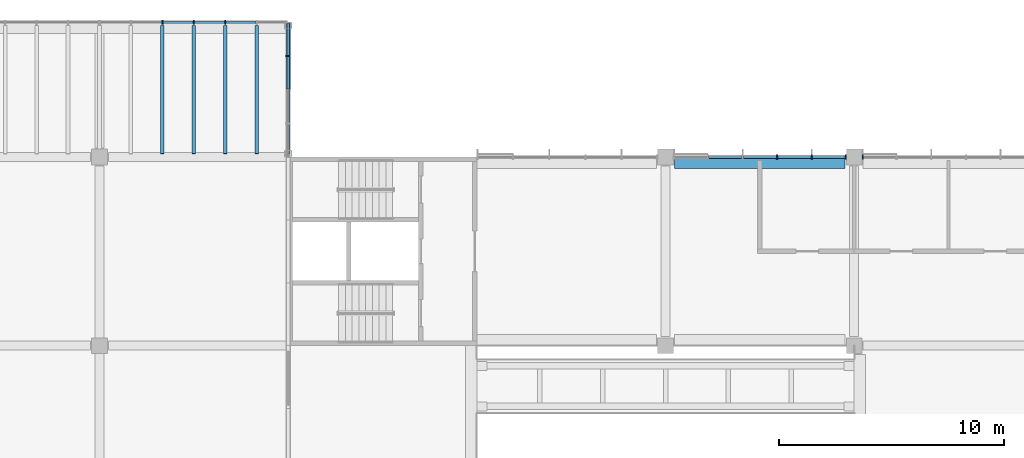
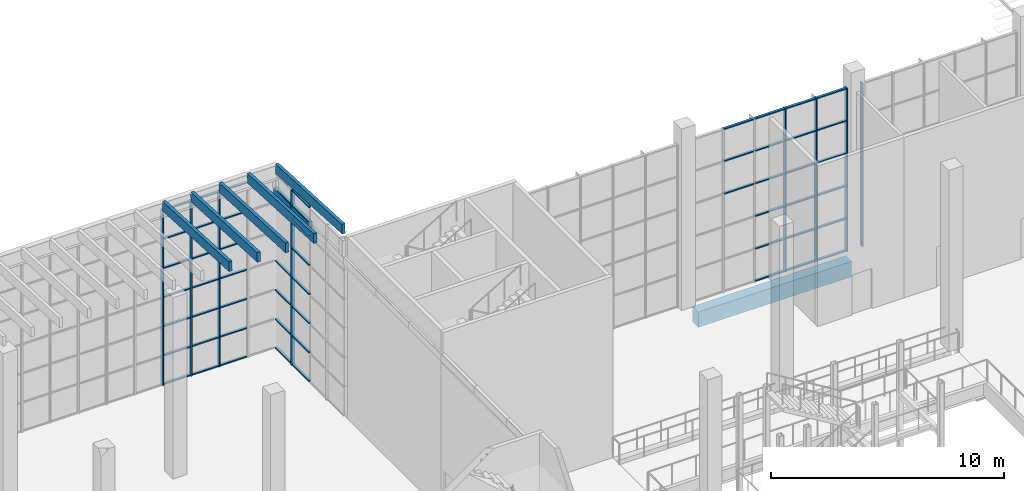
# One storey, part 24 of 114: 67 members, 1 beam, 4 elements without a shape of their own.
"""IFC4 building model written with IfcOpenShell, lengths in metres."""

from ifc_helpers import new_model, si_unit, direction, frame, origin, origin_2d, place, context, subcontext, project, spatial, rectangle, hollow_rectangle, extrude, material, material_profile, profile_set, type_object, element, aggregate, save


model = new_model("IFC4")

# Units and contexts
model_context = context("Model", 3, precision=1e-05, world=origin(), true_north=direction((0.0, 1.0)))
body_context = subcontext(model_context, "Body", "Model", "MODEL_VIEW")
ifc_project = project(units=[si_unit("LENGTHUNIT", "METRE"), si_unit("AREAUNIT", "SQUARE_METRE"), si_unit("VOLUMEUNIT", "CUBIC_METRE"), si_unit("PLANEANGLEUNIT", "RADIAN"), si_unit("MASSUNIT", "GRAM", prefix="KILO")], contexts=[model_context])

# Site, building, storey
site_placement = place(None, origin())
site = spatial("IfcSite", under=ifc_project, at=site_placement, CompositionType="ELEMENT")
building_placement = place(site_placement, origin())
building = spatial("IfcBuilding", under=site, at=building_placement, Name="Almond Square Museum", CompositionType="ELEMENT")
storey_placement = place(building_placement, frame((0.0, 0.0, 10.5)))
storey = spatial("IfcBuildingStorey", under=building, at=storey_placement, Name="L02", CompositionType="ELEMENT", Elevation=10.5)

# Curtain wall, member
ifc_material_1 = material(Name="Aluminium and laminated glass", Category="aluminium")
curtain_wall_type = type_object("IfcCurtainWallType", Name="Unitised curtain wall 1500 module", PredefinedType="NOTDEFINED", material=ifc_material_1)
curtain_wall_1_placement = place(storey_placement, origin())
curtain_wall_1 = element("IfcCurtainWall", 1, at=curtain_wall_1_placement, inside=storey, type_object=curtain_wall_type, Name="Curtain wall CW-17", PredefinedType="NOTDEFINED")
ifc_material_2 = material(Name="Anodised aluminium", Category="aluminium")
ifc_material_profile_1 = material_profile(ifc_material_2, rectangle(XDim=0.199951171875, YDim=0.06005859375, at=origin_2d()))
ifc_profile_set_1 = profile_set([ifc_material_profile_1], Name="Anodised aluminium")
member_type_1 = type_object("IfcMemberType", Name="Aluminium mullion 60 x 200", PredefinedType="MULLION", material=ifc_profile_set_1)
member_1_placement = place(storey_placement, frame((98.780029296875, 109.199951171875, 0.0), z_axis=(0.0, 0.0, 1.0), x_axis=(0.0, 1.0, 0.0)))
member_1 = element("IfcMember", 2, at=member_1_placement, type_object=member_type_1, Name="CW-17 mullion 1", PredefinedType="MULLION", context=body_context, shape_type="SweptSolid", body=[
    extrude(rectangle(XDim=0.199951171875, YDim=0.06005859375, at=origin_2d()), origin(), (0.0, 0.0, 1.0), 8.550048828125),
])
aggregate(curtain_wall_1, [member_1])

# Curtain wall, members
curtain_wall_2_placement = place(storey_placement, origin())
curtain_wall_2 = element("IfcCurtainWall", 3, at=curtain_wall_2_placement, inside=storey, type_object=curtain_wall_type, Name="Curtain wall CW-18", PredefinedType="NOTDEFINED")
member_2_placement = place(storey_placement, frame((94.969970703125, 109.199951171875, 0.0), z_axis=(0.0, 0.0, 1.0), x_axis=(0.0, 1.0, 0.0)))
member_2 = element("IfcMember", 4, at=member_2_placement, type_object=member_type_1, Name="CW-18 mullion 4", PredefinedType="MULLION", context=body_context, shape_type="SweptSolid", body=[
    extrude(rectangle(XDim=0.199951171875, YDim=0.06005859375, at=origin_2d()), origin(), (0.0, 0.0, 1.0), 8.550048828125),
])
member_3_placement = place(storey_placement, frame((96.510009765625, 109.199951171875, 0.0), z_axis=(0.0, 0.0, 1.0), x_axis=(0.0, 1.0, 0.0)))
member_3 = element("IfcMember", 5, at=member_3_placement, type_object=member_type_1, Name="CW-18 mullion 5", PredefinedType="MULLION", context=body_context, shape_type="SweptSolid", body=[
    extrude(rectangle(XDim=0.199951171875, YDim=0.06005859375, at=origin_2d()), origin(), (0.0, 0.0, 1.0), 8.550048828125),
])
member_4_placement = place(storey_placement, frame((98.02001953125, 109.199951171875, 0.0), z_axis=(0.0, 0.0, 1.0), x_axis=(0.0, 1.0, 0.0)))
member_4 = element("IfcMember", 6, at=member_4_placement, type_object=member_type_1, Name="CW-18 mullion 6", PredefinedType="MULLION", context=body_context, shape_type="SweptSolid", body=[
    extrude(rectangle(XDim=0.199951171875, YDim=0.06005859375, at=origin_2d()), origin(), (0.0, 0.0, 1.0), 8.550048828125),
])

# Curtain wall, member
curtain_wall_3_placement = place(storey_placement, origin())
curtain_wall_3 = element("IfcCurtainWall", 7, at=curtain_wall_3_placement, inside=storey, type_object=curtain_wall_type, Name="Curtain wall CW-20", PredefinedType="NOTDEFINED")
member_5_placement = place(storey_placement, frame((73.199951171875, 113.699951171875, 0.0), z_axis=(0.0, 0.0, 1.0), x_axis=(-1.0, 0.0, 0.0)))
member_5 = element("IfcMember", 8, at=member_5_placement, type_object=member_type_1, Name="CW-20 mullion 4", PredefinedType="MULLION", context=body_context, shape_type="SweptSolid", body=[
    extrude(rectangle(XDim=0.199951171875, YDim=0.06005859375, at=origin_2d()), origin(), (0.0, 0.0, 1.0), 9.166259765625),
])

# Curtain wall, members
curtain_wall_4_placement = place(storey_placement, origin())
curtain_wall_4 = element("IfcCurtainWall", 9, at=curtain_wall_4_placement, inside=storey, type_object=curtain_wall_type, Name="Curtain wall CW-21", PredefinedType="NOTDEFINED")
member_6_placement = place(storey_placement, frame((67.60009765625, 115.199951171875, 0.0), z_axis=(0.0, 0.0, 1.0), x_axis=(0.0, 1.0, 0.0)))
member_6 = element("IfcMember", 10, at=member_6_placement, type_object=member_type_1, Name="CW-21 mullion 3", PredefinedType="MULLION", context=body_context, shape_type="SweptSolid", body=[
    extrude(rectangle(XDim=0.199951171875, YDim=0.06005859375, at=origin_2d()), origin(), (0.0, 0.0, 1.0), 9.166259765625),
])
member_7_placement = place(storey_placement, frame((69.0, 115.199951171875, 0.0), z_axis=(0.0, 0.0, 1.0), x_axis=(0.0, 1.0, 0.0)))
member_7 = element("IfcMember", 11, at=member_7_placement, type_object=member_type_1, Name="CW-21 mullion 4", PredefinedType="MULLION", context=body_context, shape_type="SweptSolid", body=[
    extrude(rectangle(XDim=0.199951171875, YDim=0.06005859375, at=origin_2d()), origin(), (0.0, 0.0, 1.0), 9.166259765625),
])
member_8_placement = place(storey_placement, frame((70.39990234375, 115.199951171875, 0.0), z_axis=(0.0, 0.0, 1.0), x_axis=(0.0, 1.0, 0.0)))
member_8 = element("IfcMember", 12, at=member_8_placement, type_object=member_type_1, Name="CW-21 mullion 5", PredefinedType="MULLION", context=body_context, shape_type="SweptSolid", body=[
    extrude(rectangle(XDim=0.199951171875, YDim=0.06005859375, at=origin_2d()), origin(), (0.0, 0.0, 1.0), 9.166259765625),
])

# Member
ifc_material_3 = material(Name="Anodised aluminium", Category="aluminium")
ifc_material_profile_2 = material_profile(ifc_material_3, rectangle(XDim=0.1201171875, YDim=0.06005859375, at=origin_2d()))
ifc_profile_set_2 = profile_set([ifc_material_profile_2], Name="Anodised aluminium")
member_type_2 = type_object("IfcMemberType", Name="Aluminium transom 60 x 120", PredefinedType="USERDEFINED", material=ifc_profile_set_2)
member_9_placement = place(storey_placement, frame((91.919921875, 109.199951171875, 5.1298828125), z_axis=(1.0, 0.0, 0.0), x_axis=(0.0, 1.0, 0.0)))
member_9 = element("IfcMember", 13, at=member_9_placement, type_object=member_type_2, Name="CW-18 transom 2.4", ObjectType="TRANSOM", PredefinedType="USERDEFINED", context=body_context, shape_type="SweptSolid", body=[
    extrude(rectangle(XDim=0.1201171875, YDim=0.06005859375, at=origin_2d()), origin(), (0.0, 0.0, 1.0), 1.47998046875),
])

member_10_placement = place(storey_placement, frame((91.919921875, 109.199951171875, 6.840087890625), z_axis=(1.0, 0.0, 0.0), x_axis=(0.0, 1.0, 0.0)))
member_10 = element("IfcMember", 14, at=member_10_placement, type_object=member_type_2, Name="CW-18 transom 2.5", ObjectType="TRANSOM", PredefinedType="USERDEFINED", context=body_context, shape_type="SweptSolid", body=[
    extrude(rectangle(XDim=0.1201171875, YDim=0.06005859375, at=origin_2d()), origin(), (0.0, 0.0, 1.0), 1.47998046875),
])

member_11_placement = place(storey_placement, frame((91.919921875, 109.199951171875, 8.52001953125), z_axis=(1.0, 0.0, 0.0), x_axis=(0.0, 1.0, 0.0)))
member_11 = element("IfcMember", 15, at=member_11_placement, type_object=member_type_2, Name="CW-18 transom 2.6", ObjectType="TRANSOM", PredefinedType="USERDEFINED", context=body_context, shape_type="SweptSolid", body=[
    extrude(rectangle(XDim=0.1201171875, YDim=0.06005859375, at=origin_2d()), origin(), (0.0, 0.0, 1.0), 1.47998046875),
])

member_12_placement = place(storey_placement, frame((93.4599609375, 109.199951171875, 0.030029296875), z_axis=(1.0, 0.0, 0.0), x_axis=(0.0, 1.0, 0.0)))
member_12 = element("IfcMember", 16, at=member_12_placement, type_object=member_type_2, Name="CW-18 transom 3.1", ObjectType="TRANSOM", PredefinedType="USERDEFINED", context=body_context, shape_type="SweptSolid", body=[
    extrude(rectangle(XDim=0.1201171875, YDim=0.06005859375, at=origin_2d()), origin(), (0.0, 0.0, 1.0), 1.47998046875),
])

member_13_placement = place(storey_placement, frame((93.4599609375, 109.199951171875, 1.7099609375), z_axis=(1.0, 0.0, 0.0), x_axis=(0.0, 1.0, 0.0)))
member_13 = element("IfcMember", 17, at=member_13_placement, type_object=member_type_2, Name="CW-18 transom 3.2", ObjectType="TRANSOM", PredefinedType="USERDEFINED", context=body_context, shape_type="SweptSolid", body=[
    extrude(rectangle(XDim=0.1201171875, YDim=0.06005859375, at=origin_2d()), origin(), (0.0, 0.0, 1.0), 1.47998046875),
])

member_14_placement = place(storey_placement, frame((93.4599609375, 109.199951171875, 3.419921875), z_axis=(1.0, 0.0, 0.0), x_axis=(0.0, 1.0, 0.0)))
member_14 = element("IfcMember", 18, at=member_14_placement, type_object=member_type_2, Name="CW-18 transom 3.3", ObjectType="TRANSOM", PredefinedType="USERDEFINED", context=body_context, shape_type="SweptSolid", body=[
    extrude(rectangle(XDim=0.1201171875, YDim=0.06005859375, at=origin_2d()), origin(), (0.0, 0.0, 1.0), 1.47998046875),
])

member_15_placement = place(storey_placement, frame((93.4599609375, 109.199951171875, 5.1298828125), z_axis=(1.0, 0.0, 0.0), x_axis=(0.0, 1.0, 0.0)))
member_15 = element("IfcMember", 19, at=member_15_placement, type_object=member_type_2, Name="CW-18 transom 3.4", ObjectType="TRANSOM", PredefinedType="USERDEFINED", context=body_context, shape_type="SweptSolid", body=[
    extrude(rectangle(XDim=0.1201171875, YDim=0.06005859375, at=origin_2d()), origin(), (0.0, 0.0, 1.0), 1.47998046875),
])

member_16_placement = place(storey_placement, frame((93.4599609375, 109.199951171875, 6.840087890625), z_axis=(1.0, 0.0, 0.0), x_axis=(0.0, 1.0, 0.0)))
member_16 = element("IfcMember", 20, at=member_16_placement, type_object=member_type_2, Name="CW-18 transom 3.5", ObjectType="TRANSOM", PredefinedType="USERDEFINED", context=body_context, shape_type="SweptSolid", body=[
    extrude(rectangle(XDim=0.1201171875, YDim=0.06005859375, at=origin_2d()), origin(), (0.0, 0.0, 1.0), 1.47998046875),
])

member_17_placement = place(storey_placement, frame((93.4599609375, 109.199951171875, 8.52001953125), z_axis=(1.0, 0.0, 0.0), x_axis=(0.0, 1.0, 0.0)))
member_17 = element("IfcMember", 21, at=member_17_placement, type_object=member_type_2, Name="CW-18 transom 3.6", ObjectType="TRANSOM", PredefinedType="USERDEFINED", context=body_context, shape_type="SweptSolid", body=[
    extrude(rectangle(XDim=0.1201171875, YDim=0.06005859375, at=origin_2d()), origin(), (0.0, 0.0, 1.0), 1.47998046875),
])

member_18_placement = place(storey_placement, frame((95.0, 109.199951171875, 0.030029296875), z_axis=(1.0, 0.0, 0.0), x_axis=(0.0, 1.0, 0.0)))
member_18 = element("IfcMember", 22, at=member_18_placement, type_object=member_type_2, Name="CW-18 transom 4.1", ObjectType="TRANSOM", PredefinedType="USERDEFINED", context=body_context, shape_type="SweptSolid", body=[
    extrude(rectangle(XDim=0.1201171875, YDim=0.06005859375, at=origin_2d()), origin(), (0.0, 0.0, 1.0), 1.47998046875),
])

member_19_placement = place(storey_placement, frame((95.0, 109.199951171875, 1.7099609375), z_axis=(1.0, 0.0, 0.0), x_axis=(0.0, 1.0, 0.0)))
member_19 = element("IfcMember", 23, at=member_19_placement, type_object=member_type_2, Name="CW-18 transom 4.2", ObjectType="TRANSOM", PredefinedType="USERDEFINED", context=body_context, shape_type="SweptSolid", body=[
    extrude(rectangle(XDim=0.1201171875, YDim=0.06005859375, at=origin_2d()), origin(), (0.0, 0.0, 1.0), 1.47998046875),
])

member_20_placement = place(storey_placement, frame((95.0, 109.199951171875, 3.419921875), z_axis=(1.0, 0.0, 0.0), x_axis=(0.0, 1.0, 0.0)))
member_20 = element("IfcMember", 24, at=member_20_placement, type_object=member_type_2, Name="CW-18 transom 4.3", ObjectType="TRANSOM", PredefinedType="USERDEFINED", context=body_context, shape_type="SweptSolid", body=[
    extrude(rectangle(XDim=0.1201171875, YDim=0.06005859375, at=origin_2d()), origin(), (0.0, 0.0, 1.0), 1.47998046875),
])

member_21_placement = place(storey_placement, frame((95.0, 109.199951171875, 5.1298828125), z_axis=(1.0, 0.0, 0.0), x_axis=(0.0, 1.0, 0.0)))
member_21 = element("IfcMember", 25, at=member_21_placement, type_object=member_type_2, Name="CW-18 transom 4.4", ObjectType="TRANSOM", PredefinedType="USERDEFINED", context=body_context, shape_type="SweptSolid", body=[
    extrude(rectangle(XDim=0.1201171875, YDim=0.06005859375, at=origin_2d()), origin(), (0.0, 0.0, 1.0), 1.47998046875),
])

member_22_placement = place(storey_placement, frame((95.0, 109.199951171875, 6.840087890625), z_axis=(1.0, 0.0, 0.0), x_axis=(0.0, 1.0, 0.0)))
member_22 = element("IfcMember", 26, at=member_22_placement, type_object=member_type_2, Name="CW-18 transom 4.5", ObjectType="TRANSOM", PredefinedType="USERDEFINED", context=body_context, shape_type="SweptSolid", body=[
    extrude(rectangle(XDim=0.1201171875, YDim=0.06005859375, at=origin_2d()), origin(), (0.0, 0.0, 1.0), 1.47998046875),
])

member_23_placement = place(storey_placement, frame((95.0, 109.199951171875, 8.52001953125), z_axis=(1.0, 0.0, 0.0), x_axis=(0.0, 1.0, 0.0)))
member_23 = element("IfcMember", 27, at=member_23_placement, type_object=member_type_2, Name="CW-18 transom 4.6", ObjectType="TRANSOM", PredefinedType="USERDEFINED", context=body_context, shape_type="SweptSolid", body=[
    extrude(rectangle(XDim=0.1201171875, YDim=0.06005859375, at=origin_2d()), origin(), (0.0, 0.0, 1.0), 1.47998046875),
])

member_24_placement = place(storey_placement, frame((96.5400390625, 109.199951171875, 0.030029296875), z_axis=(1.0, 0.0, 0.0), x_axis=(0.0, 1.0, 0.0)))
member_24 = element("IfcMember", 28, at=member_24_placement, type_object=member_type_2, Name="CW-18 transom 5.1", ObjectType="TRANSOM", PredefinedType="USERDEFINED", context=body_context, shape_type="SweptSolid", body=[
    extrude(rectangle(XDim=0.1201171875, YDim=0.06005859375, at=origin_2d()), origin(), (0.0, 0.0, 1.0), 1.449951171875),
])

member_25_placement = place(storey_placement, frame((96.5400390625, 109.199951171875, 1.7099609375), z_axis=(1.0, 0.0, 0.0), x_axis=(0.0, 1.0, 0.0)))
member_25 = element("IfcMember", 29, at=member_25_placement, type_object=member_type_2, Name="CW-18 transom 5.2", ObjectType="TRANSOM", PredefinedType="USERDEFINED", context=body_context, shape_type="SweptSolid", body=[
    extrude(rectangle(XDim=0.1201171875, YDim=0.06005859375, at=origin_2d()), origin(), (0.0, 0.0, 1.0), 1.449951171875),
])

member_26_placement = place(storey_placement, frame((96.5400390625, 109.199951171875, 3.419921875), z_axis=(1.0, 0.0, 0.0), x_axis=(0.0, 1.0, 0.0)))
member_26 = element("IfcMember", 30, at=member_26_placement, type_object=member_type_2, Name="CW-18 transom 5.3", ObjectType="TRANSOM", PredefinedType="USERDEFINED", context=body_context, shape_type="SweptSolid", body=[
    extrude(rectangle(XDim=0.1201171875, YDim=0.06005859375, at=origin_2d()), origin(), (0.0, 0.0, 1.0), 1.449951171875),
])

member_27_placement = place(storey_placement, frame((96.5400390625, 109.199951171875, 5.1298828125), z_axis=(1.0, 0.0, 0.0), x_axis=(0.0, 1.0, 0.0)))
member_27 = element("IfcMember", 31, at=member_27_placement, type_object=member_type_2, Name="CW-18 transom 5.4", ObjectType="TRANSOM", PredefinedType="USERDEFINED", context=body_context, shape_type="SweptSolid", body=[
    extrude(rectangle(XDim=0.1201171875, YDim=0.06005859375, at=origin_2d()), origin(), (0.0, 0.0, 1.0), 1.449951171875),
])

member_28_placement = place(storey_placement, frame((96.5400390625, 109.199951171875, 6.840087890625), z_axis=(1.0, 0.0, 0.0), x_axis=(0.0, 1.0, 0.0)))
member_28 = element("IfcMember", 32, at=member_28_placement, type_object=member_type_2, Name="CW-18 transom 5.5", ObjectType="TRANSOM", PredefinedType="USERDEFINED", context=body_context, shape_type="SweptSolid", body=[
    extrude(rectangle(XDim=0.1201171875, YDim=0.06005859375, at=origin_2d()), origin(), (0.0, 0.0, 1.0), 1.449951171875),
])

member_29_placement = place(storey_placement, frame((96.5400390625, 109.199951171875, 8.52001953125), z_axis=(1.0, 0.0, 0.0), x_axis=(0.0, 1.0, 0.0)))
member_29 = element("IfcMember", 33, at=member_29_placement, type_object=member_type_2, Name="CW-18 transom 5.6", ObjectType="TRANSOM", PredefinedType="USERDEFINED", context=body_context, shape_type="SweptSolid", body=[
    extrude(rectangle(XDim=0.1201171875, YDim=0.06005859375, at=origin_2d()), origin(), (0.0, 0.0, 1.0), 1.449951171875),
])

aggregate(curtain_wall_2, [member_2, member_3, member_4, member_9, member_10, member_11, member_12, member_13, member_14, member_15, member_16, member_17, member_18, member_19, member_20, member_21, member_22, member_23, member_24, member_25, member_26, member_27, member_28, member_29])

member_30_placement = place(storey_placement, frame((73.199951171875, 112.22998046875, 0.030029296875), z_axis=(0.0, 1.0, 0.0), x_axis=(-1.0, 0.0, 0.0)))
member_30 = element("IfcMember", 34, at=member_30_placement, type_object=member_type_2, Name="CW-20 transom 3.1", ObjectType="TRANSOM", PredefinedType="USERDEFINED", context=body_context, shape_type="SweptSolid", body=[
    extrude(rectangle(XDim=0.1201171875, YDim=0.06005859375, at=origin_2d()), origin(), (0.0, 0.0, 1.0), 1.43994140625),
])

member_31_placement = place(storey_placement, frame((73.199951171875, 112.22998046875, 1.527587890625), z_axis=(0.0, 1.0, 0.0), x_axis=(-1.0, 0.0, 0.0)))
member_31 = element("IfcMember", 35, at=member_31_placement, type_object=member_type_2, Name="CW-20 transom 3.2", ObjectType="TRANSOM", PredefinedType="USERDEFINED", context=body_context, shape_type="SweptSolid", body=[
    extrude(rectangle(XDim=0.1201171875, YDim=0.06005859375, at=origin_2d()), origin(), (0.0, 0.0, 1.0), 1.43994140625),
])

member_32_placement = place(storey_placement, frame((73.199951171875, 112.22998046875, 3.055419921875), z_axis=(0.0, 1.0, 0.0), x_axis=(-1.0, 0.0, 0.0)))
member_32 = element("IfcMember", 36, at=member_32_placement, type_object=member_type_2, Name="CW-20 transom 3.3", ObjectType="TRANSOM", PredefinedType="USERDEFINED", context=body_context, shape_type="SweptSolid", body=[
    extrude(rectangle(XDim=0.1201171875, YDim=0.06005859375, at=origin_2d()), origin(), (0.0, 0.0, 1.0), 1.43994140625),
])

member_33_placement = place(storey_placement, frame((73.199951171875, 112.22998046875, 4.5830078125), z_axis=(0.0, 1.0, 0.0), x_axis=(-1.0, 0.0, 0.0)))
member_33 = element("IfcMember", 37, at=member_33_placement, type_object=member_type_2, Name="CW-20 transom 3.4", ObjectType="TRANSOM", PredefinedType="USERDEFINED", context=body_context, shape_type="SweptSolid", body=[
    extrude(rectangle(XDim=0.1201171875, YDim=0.06005859375, at=origin_2d()), origin(), (0.0, 0.0, 1.0), 1.43994140625),
])

member_34_placement = place(storey_placement, frame((73.199951171875, 112.22998046875, 6.11083984375), z_axis=(0.0, 1.0, 0.0), x_axis=(-1.0, 0.0, 0.0)))
member_34 = element("IfcMember", 38, at=member_34_placement, type_object=member_type_2, Name="CW-20 transom 3.5", ObjectType="TRANSOM", PredefinedType="USERDEFINED", context=body_context, shape_type="SweptSolid", body=[
    extrude(rectangle(XDim=0.1201171875, YDim=0.06005859375, at=origin_2d()), origin(), (0.0, 0.0, 1.0), 1.43994140625),
])

member_35_placement = place(storey_placement, frame((73.199951171875, 112.22998046875, 7.638427734375), z_axis=(0.0, 1.0, 0.0), x_axis=(-1.0, 0.0, 0.0)))
member_35 = element("IfcMember", 39, at=member_35_placement, type_object=member_type_2, Name="CW-20 transom 3.6", ObjectType="TRANSOM", PredefinedType="USERDEFINED", context=body_context, shape_type="SweptSolid", body=[
    extrude(rectangle(XDim=0.1201171875, YDim=0.06005859375, at=origin_2d()), origin(), (0.0, 0.0, 1.0), 1.43994140625),
])

member_36_placement = place(storey_placement, frame((73.199951171875, 112.22998046875, 9.13623046875), z_axis=(0.0, 1.0, 0.0), x_axis=(-1.0, 0.0, 0.0)))
member_36 = element("IfcMember", 40, at=member_36_placement, type_object=member_type_2, Name="CW-20 transom 3.7", ObjectType="TRANSOM", PredefinedType="USERDEFINED", context=body_context, shape_type="SweptSolid", body=[
    extrude(rectangle(XDim=0.1201171875, YDim=0.06005859375, at=origin_2d()), origin(), (0.0, 0.0, 1.0), 1.43994140625),
])

member_37_placement = place(storey_placement, frame((73.199951171875, 113.72998046875, 0.030029296875), z_axis=(0.0, 1.0, 0.0), x_axis=(-1.0, 0.0, 0.0)))
member_37 = element("IfcMember", 41, at=member_37_placement, type_object=member_type_2, Name="CW-20 transom 4.1", ObjectType="TRANSOM", PredefinedType="USERDEFINED", context=body_context, shape_type="SweptSolid", body=[
    extrude(rectangle(XDim=0.1201171875, YDim=0.06005859375, at=origin_2d()), origin(), (0.0, 0.0, 1.0), 1.409912109375),
])

member_38_placement = place(storey_placement, frame((73.199951171875, 113.72998046875, 1.527587890625), z_axis=(0.0, 1.0, 0.0), x_axis=(-1.0, 0.0, 0.0)))
member_38 = element("IfcMember", 42, at=member_38_placement, type_object=member_type_2, Name="CW-20 transom 4.2", ObjectType="TRANSOM", PredefinedType="USERDEFINED", context=body_context, shape_type="SweptSolid", body=[
    extrude(rectangle(XDim=0.1201171875, YDim=0.06005859375, at=origin_2d()), origin(), (0.0, 0.0, 1.0), 1.409912109375),
])

member_39_placement = place(storey_placement, frame((73.199951171875, 113.72998046875, 3.055419921875), z_axis=(0.0, 1.0, 0.0), x_axis=(-1.0, 0.0, 0.0)))
member_39 = element("IfcMember", 43, at=member_39_placement, type_object=member_type_2, Name="CW-20 transom 4.3", ObjectType="TRANSOM", PredefinedType="USERDEFINED", context=body_context, shape_type="SweptSolid", body=[
    extrude(rectangle(XDim=0.1201171875, YDim=0.06005859375, at=origin_2d()), origin(), (0.0, 0.0, 1.0), 1.409912109375),
])

member_40_placement = place(storey_placement, frame((73.199951171875, 113.72998046875, 4.5830078125), z_axis=(0.0, 1.0, 0.0), x_axis=(-1.0, 0.0, 0.0)))
member_40 = element("IfcMember", 44, at=member_40_placement, type_object=member_type_2, Name="CW-20 transom 4.4", ObjectType="TRANSOM", PredefinedType="USERDEFINED", context=body_context, shape_type="SweptSolid", body=[
    extrude(rectangle(XDim=0.1201171875, YDim=0.06005859375, at=origin_2d()), origin(), (0.0, 0.0, 1.0), 1.409912109375),
])

aggregate(curtain_wall_3, [member_5, member_30, member_31, member_32, member_33, member_34, member_35, member_36, member_37, member_38, member_39, member_40])

member_41_placement = place(storey_placement, frame((67.6298828125, 115.199951171875, 0.030029296875), z_axis=(1.0, 0.0, 0.0), x_axis=(0.0, 1.0, 0.0)))
member_41 = element("IfcMember", 45, at=member_41_placement, type_object=member_type_2, Name="CW-21 transom 3.1", ObjectType="TRANSOM", PredefinedType="USERDEFINED", context=body_context, shape_type="SweptSolid", body=[
    extrude(rectangle(XDim=0.1201171875, YDim=0.06005859375, at=origin_2d()), origin(), (0.0, 0.0, 1.0), 1.340087890625),
])

member_42_placement = place(storey_placement, frame((67.6298828125, 115.199951171875, 1.527587890625), z_axis=(1.0, 0.0, 0.0), x_axis=(0.0, 1.0, 0.0)))
member_42 = element("IfcMember", 46, at=member_42_placement, type_object=member_type_2, Name="CW-21 transom 3.2", ObjectType="TRANSOM", PredefinedType="USERDEFINED", context=body_context, shape_type="SweptSolid", body=[
    extrude(rectangle(XDim=0.1201171875, YDim=0.06005859375, at=origin_2d()), origin(), (0.0, 0.0, 1.0), 1.340087890625),
])

member_43_placement = place(storey_placement, frame((67.6298828125, 115.199951171875, 3.055419921875), z_axis=(1.0, 0.0, 0.0), x_axis=(0.0, 1.0, 0.0)))
member_43 = element("IfcMember", 47, at=member_43_placement, type_object=member_type_2, Name="CW-21 transom 3.3", ObjectType="TRANSOM", PredefinedType="USERDEFINED", context=body_context, shape_type="SweptSolid", body=[
    extrude(rectangle(XDim=0.1201171875, YDim=0.06005859375, at=origin_2d()), origin(), (0.0, 0.0, 1.0), 1.340087890625),
])

member_44_placement = place(storey_placement, frame((67.6298828125, 115.199951171875, 4.5830078125), z_axis=(1.0, 0.0, 0.0), x_axis=(0.0, 1.0, 0.0)))
member_44 = element("IfcMember", 48, at=member_44_placement, type_object=member_type_2, Name="CW-21 transom 3.4", ObjectType="TRANSOM", PredefinedType="USERDEFINED", context=body_context, shape_type="SweptSolid", body=[
    extrude(rectangle(XDim=0.1201171875, YDim=0.06005859375, at=origin_2d()), origin(), (0.0, 0.0, 1.0), 1.340087890625),
])

member_45_placement = place(storey_placement, frame((67.6298828125, 115.199951171875, 6.11083984375), z_axis=(1.0, 0.0, 0.0), x_axis=(0.0, 1.0, 0.0)))
member_45 = element("IfcMember", 49, at=member_45_placement, type_object=member_type_2, Name="CW-21 transom 3.5", ObjectType="TRANSOM", PredefinedType="USERDEFINED", context=body_context, shape_type="SweptSolid", body=[
    extrude(rectangle(XDim=0.1201171875, YDim=0.06005859375, at=origin_2d()), origin(), (0.0, 0.0, 1.0), 1.340087890625),
])

member_46_placement = place(storey_placement, frame((67.6298828125, 115.199951171875, 7.638427734375), z_axis=(1.0, 0.0, 0.0), x_axis=(0.0, 1.0, 0.0)))
member_46 = element("IfcMember", 50, at=member_46_placement, type_object=member_type_2, Name="CW-21 transom 3.6", ObjectType="TRANSOM", PredefinedType="USERDEFINED", context=body_context, shape_type="SweptSolid", body=[
    extrude(rectangle(XDim=0.1201171875, YDim=0.06005859375, at=origin_2d()), origin(), (0.0, 0.0, 1.0), 1.340087890625),
])

member_47_placement = place(storey_placement, frame((67.6298828125, 115.199951171875, 9.13623046875), z_axis=(1.0, 0.0, 0.0), x_axis=(0.0, 1.0, 0.0)))
member_47 = element("IfcMember", 51, at=member_47_placement, type_object=member_type_2, Name="CW-21 transom 3.7", ObjectType="TRANSOM", PredefinedType="USERDEFINED", context=body_context, shape_type="SweptSolid", body=[
    extrude(rectangle(XDim=0.1201171875, YDim=0.06005859375, at=origin_2d()), origin(), (0.0, 0.0, 1.0), 1.340087890625),
])

member_48_placement = place(storey_placement, frame((69.030029296875, 115.199951171875, 0.030029296875), z_axis=(1.0, 0.0, 0.0), x_axis=(0.0, 1.0, 0.0)))
member_48 = element("IfcMember", 52, at=member_48_placement, type_object=member_type_2, Name="CW-21 transom 4.1", ObjectType="TRANSOM", PredefinedType="USERDEFINED", context=body_context, shape_type="SweptSolid", body=[
    extrude(rectangle(XDim=0.1201171875, YDim=0.06005859375, at=origin_2d()), origin(), (0.0, 0.0, 1.0), 1.340087890625),
])

member_49_placement = place(storey_placement, frame((69.030029296875, 115.199951171875, 1.527587890625), z_axis=(1.0, 0.0, 0.0), x_axis=(0.0, 1.0, 0.0)))
member_49 = element("IfcMember", 53, at=member_49_placement, type_object=member_type_2, Name="CW-21 transom 4.2", ObjectType="TRANSOM", PredefinedType="USERDEFINED", context=body_context, shape_type="SweptSolid", body=[
    extrude(rectangle(XDim=0.1201171875, YDim=0.06005859375, at=origin_2d()), origin(), (0.0, 0.0, 1.0), 1.340087890625),
])

member_50_placement = place(storey_placement, frame((69.030029296875, 115.199951171875, 3.055419921875), z_axis=(1.0, 0.0, 0.0), x_axis=(0.0, 1.0, 0.0)))
member_50 = element("IfcMember", 54, at=member_50_placement, type_object=member_type_2, Name="CW-21 transom 4.3", ObjectType="TRANSOM", PredefinedType="USERDEFINED", context=body_context, shape_type="SweptSolid", body=[
    extrude(rectangle(XDim=0.1201171875, YDim=0.06005859375, at=origin_2d()), origin(), (0.0, 0.0, 1.0), 1.340087890625),
])

member_51_placement = place(storey_placement, frame((69.030029296875, 115.199951171875, 4.5830078125), z_axis=(1.0, 0.0, 0.0), x_axis=(0.0, 1.0, 0.0)))
member_51 = element("IfcMember", 55, at=member_51_placement, type_object=member_type_2, Name="CW-21 transom 4.4", ObjectType="TRANSOM", PredefinedType="USERDEFINED", context=body_context, shape_type="SweptSolid", body=[
    extrude(rectangle(XDim=0.1201171875, YDim=0.06005859375, at=origin_2d()), origin(), (0.0, 0.0, 1.0), 1.340087890625),
])

member_52_placement = place(storey_placement, frame((69.030029296875, 115.199951171875, 6.11083984375), z_axis=(1.0, 0.0, 0.0), x_axis=(0.0, 1.0, 0.0)))
member_52 = element("IfcMember", 56, at=member_52_placement, type_object=member_type_2, Name="CW-21 transom 4.5", ObjectType="TRANSOM", PredefinedType="USERDEFINED", context=body_context, shape_type="SweptSolid", body=[
    extrude(rectangle(XDim=0.1201171875, YDim=0.06005859375, at=origin_2d()), origin(), (0.0, 0.0, 1.0), 1.340087890625),
])

member_53_placement = place(storey_placement, frame((69.030029296875, 115.199951171875, 7.638427734375), z_axis=(1.0, 0.0, 0.0), x_axis=(0.0, 1.0, 0.0)))
member_53 = element("IfcMember", 57, at=member_53_placement, type_object=member_type_2, Name="CW-21 transom 4.6", ObjectType="TRANSOM", PredefinedType="USERDEFINED", context=body_context, shape_type="SweptSolid", body=[
    extrude(rectangle(XDim=0.1201171875, YDim=0.06005859375, at=origin_2d()), origin(), (0.0, 0.0, 1.0), 1.340087890625),
])

member_54_placement = place(storey_placement, frame((69.030029296875, 115.199951171875, 9.13623046875), z_axis=(1.0, 0.0, 0.0), x_axis=(0.0, 1.0, 0.0)))
member_54 = element("IfcMember", 58, at=member_54_placement, type_object=member_type_2, Name="CW-21 transom 4.7", ObjectType="TRANSOM", PredefinedType="USERDEFINED", context=body_context, shape_type="SweptSolid", body=[
    extrude(rectangle(XDim=0.1201171875, YDim=0.06005859375, at=origin_2d()), origin(), (0.0, 0.0, 1.0), 1.340087890625),
])

member_55_placement = place(storey_placement, frame((70.429931640625, 115.199951171875, 0.030029296875), z_axis=(1.0, 0.0, 0.0), x_axis=(0.0, 1.0, 0.0)))
member_55 = element("IfcMember", 59, at=member_55_placement, type_object=member_type_2, Name="CW-21 transom 5.1", ObjectType="TRANSOM", PredefinedType="USERDEFINED", context=body_context, shape_type="SweptSolid", body=[
    extrude(rectangle(XDim=0.1201171875, YDim=0.06005859375, at=origin_2d()), origin(), (0.0, 0.0, 1.0), 1.340087890625),
])

member_56_placement = place(storey_placement, frame((70.429931640625, 115.199951171875, 1.527587890625), z_axis=(1.0, 0.0, 0.0), x_axis=(0.0, 1.0, 0.0)))
member_56 = element("IfcMember", 60, at=member_56_placement, type_object=member_type_2, Name="CW-21 transom 5.2", ObjectType="TRANSOM", PredefinedType="USERDEFINED", context=body_context, shape_type="SweptSolid", body=[
    extrude(rectangle(XDim=0.1201171875, YDim=0.06005859375, at=origin_2d()), origin(), (0.0, 0.0, 1.0), 1.340087890625),
])

member_57_placement = place(storey_placement, frame((70.429931640625, 115.199951171875, 3.055419921875), z_axis=(1.0, 0.0, 0.0), x_axis=(0.0, 1.0, 0.0)))
member_57 = element("IfcMember", 61, at=member_57_placement, type_object=member_type_2, Name="CW-21 transom 5.3", ObjectType="TRANSOM", PredefinedType="USERDEFINED", context=body_context, shape_type="SweptSolid", body=[
    extrude(rectangle(XDim=0.1201171875, YDim=0.06005859375, at=origin_2d()), origin(), (0.0, 0.0, 1.0), 1.340087890625),
])

member_58_placement = place(storey_placement, frame((70.429931640625, 115.199951171875, 4.5830078125), z_axis=(1.0, 0.0, 0.0), x_axis=(0.0, 1.0, 0.0)))
member_58 = element("IfcMember", 62, at=member_58_placement, type_object=member_type_2, Name="CW-21 transom 5.4", ObjectType="TRANSOM", PredefinedType="USERDEFINED", context=body_context, shape_type="SweptSolid", body=[
    extrude(rectangle(XDim=0.1201171875, YDim=0.06005859375, at=origin_2d()), origin(), (0.0, 0.0, 1.0), 1.340087890625),
])

member_59_placement = place(storey_placement, frame((70.429931640625, 115.199951171875, 6.11083984375), z_axis=(1.0, 0.0, 0.0), x_axis=(0.0, 1.0, 0.0)))
member_59 = element("IfcMember", 63, at=member_59_placement, type_object=member_type_2, Name="CW-21 transom 5.5", ObjectType="TRANSOM", PredefinedType="USERDEFINED", context=body_context, shape_type="SweptSolid", body=[
    extrude(rectangle(XDim=0.1201171875, YDim=0.06005859375, at=origin_2d()), origin(), (0.0, 0.0, 1.0), 1.340087890625),
])

member_60_placement = place(storey_placement, frame((70.429931640625, 115.199951171875, 7.638427734375), z_axis=(1.0, 0.0, 0.0), x_axis=(0.0, 1.0, 0.0)))
member_60 = element("IfcMember", 64, at=member_60_placement, type_object=member_type_2, Name="CW-21 transom 5.6", ObjectType="TRANSOM", PredefinedType="USERDEFINED", context=body_context, shape_type="SweptSolid", body=[
    extrude(rectangle(XDim=0.1201171875, YDim=0.06005859375, at=origin_2d()), origin(), (0.0, 0.0, 1.0), 1.340087890625),
])

member_61_placement = place(storey_placement, frame((70.429931640625, 115.199951171875, 9.13623046875), z_axis=(1.0, 0.0, 0.0), x_axis=(0.0, 1.0, 0.0)))
member_61 = element("IfcMember", 65, at=member_61_placement, type_object=member_type_2, Name="CW-21 transom 5.7", ObjectType="TRANSOM", PredefinedType="USERDEFINED", context=body_context, shape_type="SweptSolid", body=[
    extrude(rectangle(XDim=0.1201171875, YDim=0.06005859375, at=origin_2d()), origin(), (0.0, 0.0, 1.0), 1.340087890625),
])

aggregate(curtain_wall_4, [member_6, member_7, member_8, member_41, member_42, member_43, member_44, member_45, member_46, member_47, member_48, member_49, member_50, member_51, member_52, member_53, member_54, member_55, member_56, member_57, member_58, member_59, member_60, member_61])

# Members
ifc_material_4 = material(Name="Glulam GL28h", Category="wood")
ifc_material_profile_3 = material_profile(ifc_material_4, rectangle(XDim=0.159912109375, YDim=0.5, at=origin_2d()))
ifc_profile_set_3 = profile_set([ifc_material_profile_3], Name="Glulam GL28h")
member_type_3 = type_object("IfcMemberType", Name="Glulam rafter GL28h 160x500", PredefinedType="RAFTER", material=ifc_profile_set_3)
for number, where, z_axis, x_axis, name in (
    (66, (67.60009765625, 109.35009765625, 9.7421875), (0.0, 0.998750951657, -0.049965353644), (-1.0, 0.0, 0.0), "Box roof rafter 21"),
    (67, (69.0, 109.35009765625, 9.7421875), (0.0, 0.998750951657, -0.049965353644), (-1.0, 0.0, 0.0), "Box roof rafter 22"),
    (68, (70.39990234375, 109.35009765625, 9.7421875), (0.0, 0.998750951657, -0.049965353644), (-1.0, 0.0, 0.0), "Box roof rafter 23"),
    (69, (71.800048828125, 109.35009765625, 9.7421875), (0.0, 0.998750951657, -0.049965353644), (-1.0, 0.0, 0.0), "Box roof rafter 24"),
    (70, (73.199951171875, 109.35009765625, 9.7421875), (0.0, 0.998750951657, -0.049965353644), (-1.0, 0.0, 0.0), "Box roof rafter 25"),
):
    element("IfcMember", number, at=place(storey_placement, frame(where, z_axis=z_axis, x_axis=x_axis)), inside=storey, type_object=member_type_3, Name=name, PredefinedType="RAFTER", context=body_context, shape_type="SweptSolid", body=[
        extrude(rectangle(XDim=0.159912109375, YDim=0.5, at=origin_2d()), origin(), (0.0, 0.0, 1.0), 5.70703125),
    ])

# Beam
ifc_material_5 = material(Name="Concrete C40/50", Category="concrete")
ifc_material_profile_4 = material_profile(ifc_material_5, rectangle(XDim=0.5, YDim=0.800048828125, at=origin_2d()))
ifc_profile_set_4 = profile_set([ifc_material_profile_4], Name="Concrete C40/50")
beam_type = type_object("IfcBeamType", Name="RC edge beam 500 x 800 C40/50", PredefinedType="BEAM", material=ifc_profile_set_4)
beam_placement = place(storey_placement, frame((90.39990234375, 108.949951171875, -0.64990234375), z_axis=(1.0, 0.0, 0.0), x_axis=(0.0, 1.0, 0.0)))
element("IfcBeam", 71, at=beam_placement, inside=storey, type_object=beam_type, Name="Edge beam N 12-13 L02", PredefinedType="BEAM", context=body_context, shape_type="SweptSolid", body=[
    extrude(rectangle(XDim=0.5, YDim=0.800048828125, at=origin_2d()), origin(), (0.0, 0.0, 1.0), 7.60009765625),
])

# Member
ifc_material_6 = material(Name="Structural steel S355", Category="steel")
ifc_material_profile_5 = material_profile(ifc_material_6, hollow_rectangle(XDim=0.199951171875, YDim=0.39990234375, WallThickness=0.012451171875, InnerFilletRadius=0.02490234375, OuterFilletRadius=0.03759765625, at=origin_2d()))
ifc_profile_set_5 = profile_set([ifc_material_profile_5], Name="Structural steel S355")
member_type_4 = type_object("IfcMemberType", Name="Truss chord RHS 400x200x12.5", PredefinedType="CHORD", material=ifc_profile_set_5)
member_62_placement = place(storey_placement, frame((73.199951171875, 112.199951171875, 8.199951171875), z_axis=(0.0, 1.0, 0.0), x_axis=(-1.0, 0.0, 0.0)))
element("IfcMember", 72, at=member_62_placement, inside=storey, type_object=member_type_4, Name="TR-17 top chord 8", PredefinedType="CHORD", context=body_context, shape_type="SweptSolid", body=[
    extrude(hollow_rectangle(XDim=0.199951171875, YDim=0.39990234375, WallThickness=0.012451171875, InnerFilletRadius=0.02490234375, OuterFilletRadius=0.03759765625, at=origin_2d()), origin(), (0.0, 0.0, 1.0), 3.0),
])

save(model, "model.ifc")
